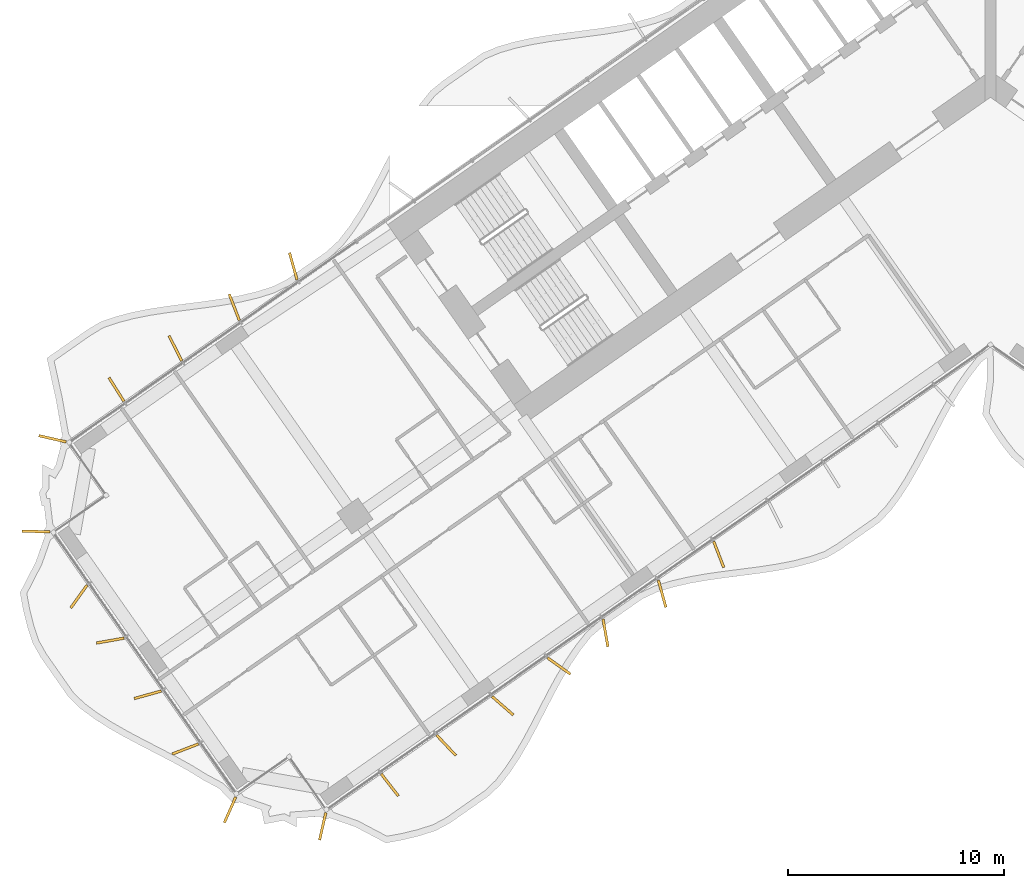
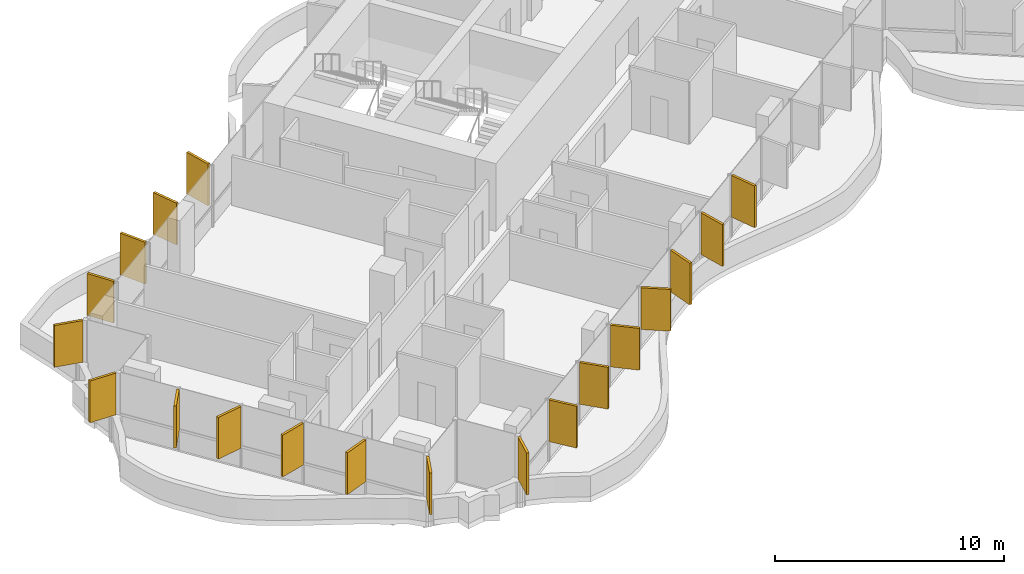
# One storey, part 18 of 23: 19 shading devices.
"""IFC4 building model written with IfcOpenShell, lengths in metres."""

from ifc_helpers import new_model, si_unit, direction, frame, origin, origin_2d, place, context, subcontext, project, spatial, rectangle, extrude, material, layer, layer_set, type_object, element, save


model = new_model("IFC4")

# Units and contexts
model_context = context("Model", 3, precision=1e-05, world=origin(), true_north=direction((0.0, 1.0)))
body_context = subcontext(model_context, "Body", "Model", "MODEL_VIEW")
ifc_project = project(units=[si_unit("LENGTHUNIT", "METRE"), si_unit("AREAUNIT", "SQUARE_METRE"), si_unit("VOLUMEUNIT", "CUBIC_METRE"), si_unit("PLANEANGLEUNIT", "RADIAN"), si_unit("MASSUNIT", "GRAM", prefix="KILO")], contexts=[model_context])

# Site, building, storey
site_placement = place(None, origin())
site = spatial("IfcSite", under=ifc_project, at=site_placement, CompositionType="ELEMENT")
building_placement = place(site_placement, origin())
building = spatial("IfcBuilding", under=site, at=building_placement, Name="Tel Ilan Convention Tower", CompositionType="ELEMENT")
storey_placement = place(building_placement, frame((0.0, 0.0, 86.89990234375)))
storey = spatial("IfcBuildingStorey", under=building, at=storey_placement, Name="L17", CompositionType="ELEMENT", Elevation=86.89990234375)

# Shading devices
ifc_material = material(Name="Aluminium, bronze anodised", Category="aluminium")
ifc_layer = layer(ifc_material, 0.1201171875)
ifc_layer_set = layer_set([ifc_layer], Name="FIN BRONZE 1300x120")
shading_device_type = type_object("IfcShadingDeviceType", Name="FIN BRONZE 1300x120", PredefinedType="USERDEFINED", material=ifc_layer_set)
for number, where, z_axis, x_axis, name in (
    (1, (-32.348876953125, -9.060791015625, 1.10009765625), (0.0, 0.0, 1.0), (-0.268172612768, 0.963370878614, 0.0), "FIN"),
    (2, (-35.085693359375, -10.9619140625, 1.10009765625), (0.0, 0.0, 1.0), (-0.360177724803, 0.932883704733, 0.0), "FIN"),
    (3, (-37.8203125, -12.86865234375, 1.10009765625), (0.0, 0.0, 1.0), (-0.448799180206, 0.893632640321, 0.0), "FIN"),
    (4, (-40.552001953125, -14.78125, 1.10009765625), (0.0, 0.0, 1.0), (-0.533204432798, 0.845986425922, 0.0), "FIN"),
    (5, (-43.520751953125, -17.065673828125, 1.10009765625), (0.0, 0.0, 1.0), (-0.975235208752, 0.221170268371, 0.0), "FIN"),
    (6, (-44.27880859375, -21.36767578125, 1.10009765625), (0.0, 0.0, 1.0), (-0.999576950082, 0.029084718749, 0.0), "FIN"),
    (7, (-42.29443359375, -24.385498046875, 1.10009765625), (0.0, 0.0, 1.0), (-0.581492071294, -0.813552070258, 0.0), "FIN"),
    (8, (-40.840087890625, -26.43017578125, 1.10009765625), (0.0, 0.0, 1.0), (-0.984807753012, -0.173648177667, 0.0), "FIN"),
    (9, (-39.10107421875, -28.94580078125, 1.10009765625), (0.0, 0.0, 1.0), (-0.963370878614, -0.268172612768, 0.0), "FIN"),
    (10, (-37.35595703125, -31.4599609375, 1.10009765625), (0.0, 0.0, 1.0), (-0.932883704733, -0.360177724803, 0.0), "FIN"),
    (11, (-35.283203125, -34.283203125, 1.10009765625), (0.0, 0.0, 1.0), (-0.404964282034, -0.914332505315, 0.0), "FIN"),
    (12, (-30.9833984375, -35.04833984375, 1.10009765625), (0.0, 0.0, 1.0), (-0.221170268371, -0.975235208752, 0.0), "FIN"),
    (13, (-27.869873046875, -33.128173828125, 1.10009765625), (0.0, 0.0, 1.0), (0.612600545196, -0.790392669516, 0.0), "FIN"),
    (14, (-25.24853515625, -31.29248046875, 1.10009765625), (0.0, 0.0, 1.0), (0.686241637865, -0.727373641577, 0.0), "FIN"),
    (15, (-22.6318359375, -29.452392578125, 1.10009765625), (0.0, 0.0, 1.0), (0.753435896329, -0.657521368568, 0.0), "FIN"),
    (16, (-20.01953125, -27.60791015625, 1.10009765625), (0.0, 0.0, 1.0), (0.813552070258, -0.581492071294, 0.0), "FIN"),
    (17, (-17.862548828125, -26.074951171875, 1.10009765625), (0.0, 0.0, 1.0), (0.173648177667, -0.984807753012, 0.0), "FIN"),
    (18, (-15.234130859375, -24.25732421875, 1.10009765625), (0.0, 0.0, 1.0), (0.268172612768, -0.963370878614, 0.0), "FIN"),
    (19, (-12.607666015625, -22.433349609375, 1.10009765625), (0.0, 0.0, 1.0), (0.360177724803, -0.932883704733, 0.0), "FIN"),
):
    element("IfcShadingDevice", number, at=place(storey_placement, frame(where, z_axis=z_axis, x_axis=x_axis)), inside=storey, type_object=shading_device_type, Name=name, ObjectType="FIN", PredefinedType="USERDEFINED", context=body_context, shape_type="SweptSolid", body=[
        extrude(rectangle(XDim=1.300048828125, YDim=0.1201171875, at=origin_2d()), origin(), (0.0, 0.0, 1.0), 2.219970703125),
    ])

save(model, "model.ifc")
